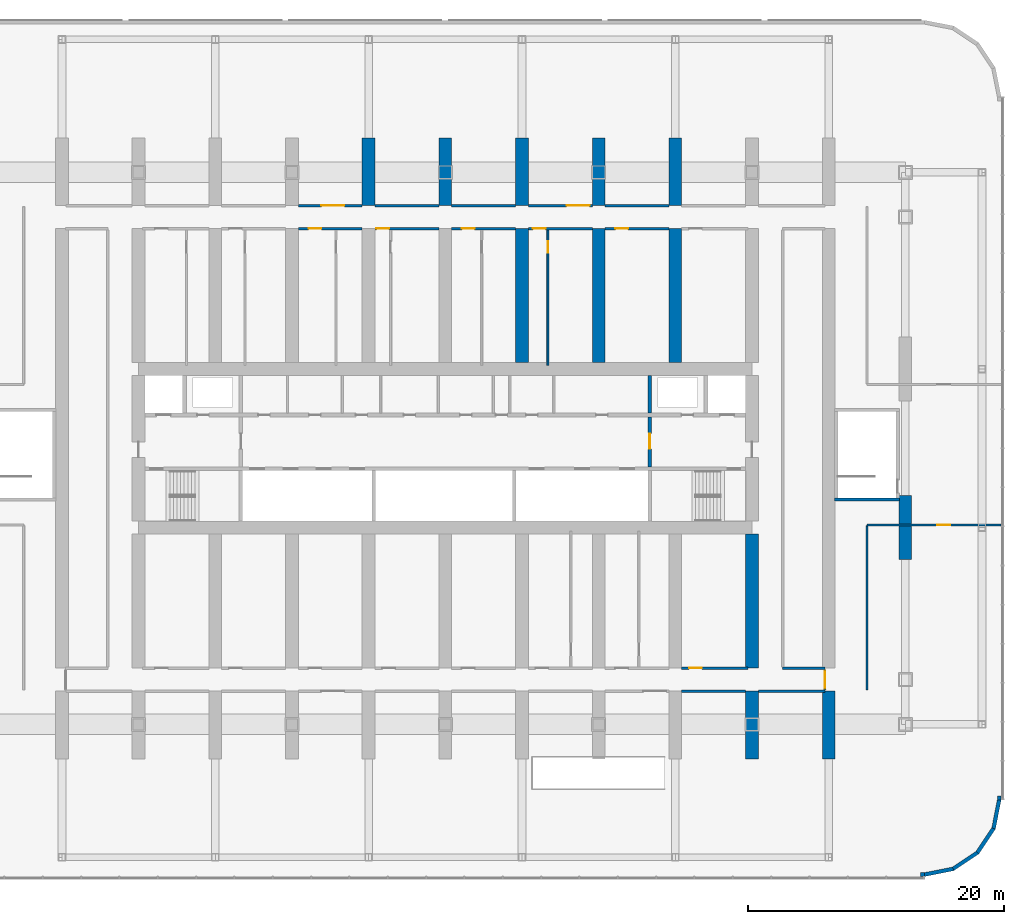
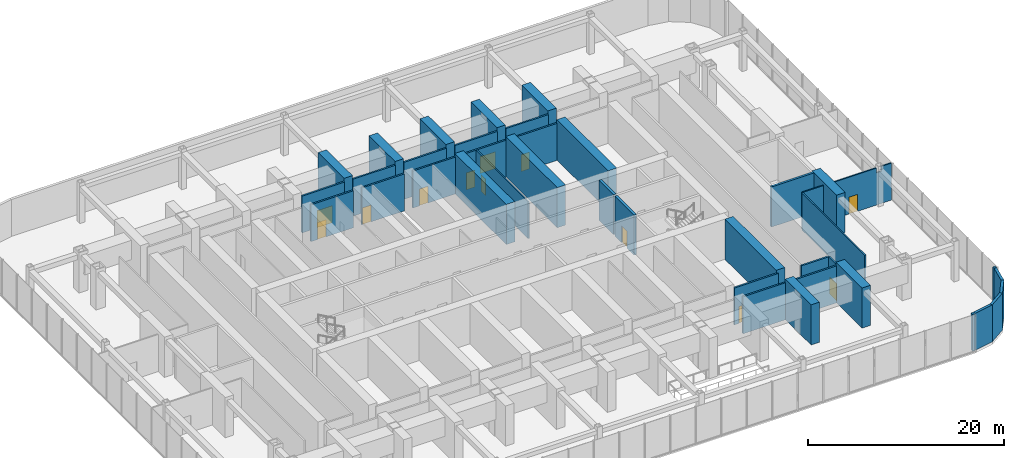
# One storey, part 15 of 26: 39 walls, 12 doors, 12 openings.
"""IFC4 building model written with IfcOpenShell, lengths in metres."""

from ifc_helpers import new_model, si_unit, direction, frame, frame_2d, origin, place, context, subcontext, project, spatial, polyline, rectangle, outline, extrude, material, layer, layer_set, type_object, element, fill, save


model = new_model("IFC4")

# Units and contexts
model_context = context("Model", 3, precision=1e-05, world=origin(), true_north=direction((0.0, 1.0)))
body_context = subcontext(model_context, "Body", "Model", "MODEL_VIEW")
ifc_project = project(units=[si_unit("LENGTHUNIT", "METRE"), si_unit("AREAUNIT", "SQUARE_METRE"), si_unit("VOLUMEUNIT", "CUBIC_METRE"), si_unit("PLANEANGLEUNIT", "RADIAN"), si_unit("MASSUNIT", "GRAM", prefix="KILO")], contexts=[model_context])

# Site, building, storey
site_placement = place(None, origin())
site = spatial("IfcSite", under=ifc_project, at=site_placement, CompositionType="ELEMENT")
building_placement = place(site_placement, origin())
building = spatial("IfcBuilding", under=site, at=building_placement, Name="Orbita Commons", CompositionType="ELEMENT")
storey_placement = place(building_placement, frame((0.0, 0.0, 11.0)))
storey = spatial("IfcBuildingStorey", under=building, at=storey_placement, Name="L02", CompositionType="ELEMENT", Elevation=11.0)

# Wall, opening, door
ifc_material_1 = material(Name="Concrete C50/60", Category="concrete")
ifc_layer_1 = layer(ifc_material_1, 0.300048828125)
ifc_layer_set_1 = layer_set([ifc_layer_1], Name="Concrete C50/60")
wall_type_1 = type_object("IfcWallType", Name="Core inner wall 300 C50/60", PredefinedType="SHEAR", material=ifc_layer_set_1)
wall_1_placement = place(storey_placement, frame((58.0, 30.550048828125, 0.0), z_axis=(0.0, 0.0, 1.0), x_axis=(0.0, 1.0, 0.0)))
wall_1 = element("IfcWall", 1, at=wall_1_placement, inside=storey, type_object=wall_type_1, Name="Firefighting lobby wall east L02", PredefinedType="SHEAR", context=body_context, shape_type="SweptSolid", body=[
    extrude(rectangle(XDim=3.89990234375, YDim=0.300048828125, at=frame_2d((1.949951171875, 0.0))), origin(), (0.0, 0.0, 1.0), 5.0),
])
opening_1_placement = place(wall_1_placement, frame((1.39990234375, 0.0, 0.0)))
opening_1 = element("IfcOpeningElement", 2, at=opening_1_placement, cuts=wall_1, Name="Opening D04", PredefinedType="OPENING", context=body_context, shape_type="SweptSolid", body=[
    extrude(rectangle(XDim=1.199951171875, YDim=2.10009765625, at=frame_2d((0.60009765625, 1.050048828125))), frame((0.0, 0.159912109375, 0.0), z_axis=(0.0, -1.0, 0.0), x_axis=(1.0, 0.0, 0.0)), (0.0, 0.0, 1.0), 0.320068359375),
])
ifc_material_2 = material(Name="Steel-faced fire door leaf", Category="steel")
door_type_1 = type_object("IfcDoorType", Name="Service door 20 min 1200x2100", OperationType="SINGLE_SWING_LEFT", PredefinedType="DOOR", material=ifc_material_2)
door_1_placement = place(opening_1_placement, origin())
door_1 = element("IfcDoor", 3, at=door_1_placement, inside=storey, type_object=door_type_1, Name="Lift lobby door east", OperationType="SINGLE_SWING_LEFT", OverallHeight=2.10009765625, OverallWidth=1.199951171875, PredefinedType="DOOR", context=body_context, shape_type="SweptSolid", body=[
    extrude(rectangle(XDim=1.199951171875, YDim=2.10009765625, at=frame_2d((0.60009765625, 1.050048828125))), frame((0.0, 0.02490234375, 0.0), z_axis=(0.0, -1.0, 0.0), x_axis=(1.0, 0.0, 0.0)), (0.0, 0.0, 1.0), 0.050048828125),
])
fill(opening_1, door_1)

# Walls
wall_2_placement = place(storey_placement, frame((58.0, 34.75, 0.0), z_axis=(0.0, 0.0, 1.0), x_axis=(0.0, 1.0, 0.0)))
element("IfcWall", 4, at=wall_2_placement, inside=storey, type_object=wall_type_1, Name="Riser wall east L02", PredefinedType="SHEAR", context=body_context, shape_type="SweptSolid", body=[
    extrude(rectangle(XDim=2.949951171875, YDim=0.300048828125, at=frame_2d((1.47509765625, 0.0))), origin(), (0.0, 0.0, 1.0), 5.0),
])
ifc_material_3 = material(Name="Concrete blockwork", Category="masonry")
ifc_layer_2 = layer(ifc_material_3, 0.199951171875)
ifc_layer_set_2 = layer_set([ifc_layer_2], Name="Concrete blockwork")
wall_type_2 = type_object("IfcWallType", Name="Corridor wall 200 blockwork", PredefinedType="SOLIDWALL", material=ifc_layer_set_2)
wall_3_placement = place(storey_placement, frame((60.5, 13.0, 0.0), z_axis=(0.0, 0.0, 1.0), x_axis=(1.0, 0.0, 0.0)))
element("IfcWall", 5, at=wall_3_placement, inside=storey, type_object=wall_type_2, Name="Corridor wall 200 blockwork L02", PredefinedType="SOLIDWALL", context=body_context, shape_type="SweptSolid", body=[
    extrude(rectangle(XDim=5.0, YDim=0.199951171875, at=frame_2d((2.5, 0.0))), origin(), (0.0, 0.0, 1.0), 4.60009765625),
])
wall_4_placement = place(storey_placement, frame((66.5, 13.0, 0.0), z_axis=(0.0, 0.0, 1.0), x_axis=(1.0, 0.0, 0.0)))
element("IfcWall", 6, at=wall_4_placement, inside=storey, type_object=wall_type_2, Name="Corridor wall 200 blockwork L02", PredefinedType="SOLIDWALL", context=body_context, shape_type="SweptSolid", body=[
    extrude(rectangle(XDim=5.199951171875, YDim=0.199951171875, at=frame_2d((2.60009765625, 0.0))), origin(), (0.0, 0.0, 1.0), 4.60009765625),
])

# Wall, opening, door
wall_5_placement = place(storey_placement, frame((30.5, 51.0, 0.0), z_axis=(0.0, 0.0, 1.0), x_axis=(1.0, 0.0, 0.0)))
wall_5 = element("IfcWall", 7, at=wall_5_placement, inside=storey, type_object=wall_type_2, Name="Corridor wall 200 blockwork L02", PredefinedType="SOLIDWALL", context=body_context, shape_type="SweptSolid", body=[
    extrude(rectangle(XDim=5.0, YDim=0.199951171875, at=frame_2d((2.5, 0.0))), origin(), (0.0, 0.0, 1.0), 4.60009765625),
])
opening_2_placement = place(wall_5_placement, frame((1.800048828125, 0.0, 0.0)))
opening_2 = element("IfcOpeningElement", 8, at=opening_2_placement, cuts=wall_5, Name="Opening D07", PredefinedType="OPENING", context=body_context, shape_type="SweptSolid", body=[
    extrude(rectangle(XDim=1.800048828125, YDim=2.10009765625, at=frame_2d((0.89990234375, 1.050048828125))), frame((0.0, 0.10986328125, 0.0), z_axis=(0.0, -1.0, 0.0), x_axis=(1.0, 0.0, 0.0)), (0.0, 0.0, 1.0), 0.219970703125),
])
ifc_material_4 = material(Name="Steel-faced fire door leaf", Category="steel")
door_type_2 = type_object("IfcDoorType", Name="Double corridor door 20 min 1800x2100", OperationType="DOUBLE_DOOR_SINGLE_SWING", PredefinedType="DOOR", material=ifc_material_4)
door_2_placement = place(opening_2_placement, origin())
door_2 = element("IfcDoor", 9, at=door_2_placement, inside=storey, type_object=door_type_2, Name="Hall doors north", OperationType="DOUBLE_DOOR_SINGLE_SWING", OverallHeight=2.10009765625, OverallWidth=1.800048828125, PredefinedType="DOOR", context=body_context, shape_type="SweptSolid", body=[
    extrude(rectangle(XDim=1.800048828125, YDim=2.10009765625, at=frame_2d((0.89990234375, 1.050048828125))), frame((0.0, 0.02490234375, 0.0), z_axis=(0.0, -1.0, 0.0), x_axis=(1.0, 0.0, 0.0)), (0.0, 0.0, 1.0), 0.050048828125),
])
fill(opening_2, door_2)

# Walls
for number, where, z_axis, x_axis, name in (
    (10, (36.5, 51.0, 0.0), (0.0, 0.0, 1.0), (1.0, 0.0, 0.0), "Corridor wall 200 blockwork L02"),
    (11, (42.5, 51.0, 0.0), (0.0, 0.0, 1.0), (1.0, 0.0, 0.0), "Corridor wall 200 blockwork L02"),
):
    element("IfcWall", number, at=place(storey_placement, frame(where, z_axis=z_axis, x_axis=x_axis)), inside=storey, type_object=wall_type_2, Name=name, PredefinedType="SOLIDWALL", context=body_context, shape_type="SweptSolid", body=[
        extrude(rectangle(XDim=5.0, YDim=0.199951171875, at=frame_2d((2.5, 0.0))), origin(), (0.0, 0.0, 1.0), 4.60009765625),
    ])

# Wall, opening, door
wall_6_placement = place(storey_placement, frame((48.5, 51.0, 0.0), z_axis=(0.0, 0.0, 1.0), x_axis=(1.0, 0.0, 0.0)))
wall_6 = element("IfcWall", 12, at=wall_6_placement, inside=storey, type_object=wall_type_2, Name="Corridor wall 200 blockwork L02", PredefinedType="SOLIDWALL", context=body_context, shape_type="SweptSolid", body=[
    extrude(rectangle(XDim=5.0, YDim=0.199951171875, at=frame_2d((2.5, 0.0))), origin(), (0.0, 0.0, 1.0), 4.60009765625),
])
opening_3_placement = place(wall_6_placement, frame((3.0, 0.0, 0.0)))
opening_3 = element("IfcOpeningElement", 13, at=opening_3_placement, cuts=wall_6, Name="Opening D07", PredefinedType="OPENING", context=body_context, shape_type="SweptSolid", body=[
    extrude(rectangle(XDim=1.800048828125, YDim=2.10009765625, at=frame_2d((0.89990234375, 1.050048828125))), frame((0.0, 0.10986328125, 0.0), z_axis=(0.0, -1.0, 0.0), x_axis=(1.0, 0.0, 0.0)), (0.0, 0.0, 1.0), 0.219970703125),
])
door_3_placement = place(opening_3_placement, origin())
door_3 = element("IfcDoor", 14, at=door_3_placement, inside=storey, type_object=door_type_2, Name="Hall doors north", OperationType="DOUBLE_DOOR_SINGLE_SWING", OverallHeight=2.10009765625, OverallWidth=1.800048828125, PredefinedType="DOOR", context=body_context, shape_type="SweptSolid", body=[
    extrude(rectangle(XDim=1.800048828125, YDim=2.10009765625, at=frame_2d((0.89990234375, 1.050048828125))), frame((0.0, 0.02490234375, 0.0), z_axis=(0.0, -1.0, 0.0), x_axis=(1.0, 0.0, 0.0)), (0.0, 0.0, 1.0), 0.050048828125),
])
fill(opening_3, door_3)

# Walls
wall_7_placement = place(storey_placement, frame((54.5, 51.0, 0.0), z_axis=(0.0, 0.0, 1.0), x_axis=(1.0, 0.0, 0.0)))
element("IfcWall", 15, at=wall_7_placement, inside=storey, type_object=wall_type_2, Name="Corridor wall 200 blockwork L02", PredefinedType="SOLIDWALL", context=body_context, shape_type="SweptSolid", body=[
    extrude(rectangle(XDim=5.0, YDim=0.199951171875, at=frame_2d((2.5, 0.0))), origin(), (0.0, 0.0, 1.0), 4.60009765625),
])
wall_8_placement = place(storey_placement, frame((68.39990234375, 14.800048828125, 0.0), z_axis=(0.0, 0.0, 1.0), x_axis=(1.0, 0.0, 0.0)))
element("IfcWall", 16, at=wall_8_placement, inside=storey, type_object=wall_type_2, Name="Corridor wall 200 blockwork L02", PredefinedType="SOLIDWALL", context=body_context, shape_type="SweptSolid", body=[
    extrude(rectangle(XDim=3.300048828125, YDim=0.199951171875, at=frame_2d((1.64990234375, 0.0))), origin(), (0.0, 0.0, 1.0), 4.60009765625),
])

# Wall, opening, door
wall_9_placement = place(storey_placement, frame((60.5, 14.800048828125, 0.0), z_axis=(0.0, 0.0, 1.0), x_axis=(1.0, 0.0, 0.0)))
wall_9 = element("IfcWall", 17, at=wall_9_placement, inside=storey, type_object=wall_type_2, Name="Corridor wall 200 blockwork L02", PredefinedType="SOLIDWALL", context=body_context, shape_type="SweptSolid", body=[
    extrude(rectangle(XDim=5.199951171875, YDim=0.199951171875, at=frame_2d((2.60009765625, 0.0))), origin(), (0.0, 0.0, 1.0), 4.60009765625),
])
opening_4_placement = place(wall_9_placement, frame((0.574951171875, 0.0, 0.0)))
opening_4 = element("IfcOpeningElement", 18, at=opening_4_placement, cuts=wall_9, Name="Opening D06", PredefinedType="OPENING", context=body_context, shape_type="SweptSolid", body=[
    extrude(rectangle(XDim=1.0, YDim=2.10009765625, at=frame_2d((0.5, 1.050048828125))), frame((0.0, 0.10986328125, 0.0), z_axis=(0.0, -1.0, 0.0), x_axis=(1.0, 0.0, 0.0)), (0.0, 0.0, 1.0), 0.219970703125),
])
ifc_material_5 = material(Name="Steel-faced fire door leaf", Category="steel")
door_type_3 = type_object("IfcDoorType", Name="Corridor door 20 min 1000x2100", OperationType="SINGLE_SWING_LEFT", PredefinedType="DOOR", material=ifc_material_5)
door_4_placement = place(opening_4_placement, origin())
door_4 = element("IfcDoor", 19, at=door_4_placement, inside=storey, type_object=door_type_3, Name="Room door", OperationType="SINGLE_SWING_LEFT", OverallHeight=2.10009765625, OverallWidth=1.0, PredefinedType="DOOR", context=body_context, shape_type="SweptSolid", body=[
    extrude(rectangle(XDim=1.0, YDim=2.10009765625, at=frame_2d((0.5, 1.050048828125))), frame((0.0, 0.02490234375, 0.0), z_axis=(0.0, -1.0, 0.0), x_axis=(1.0, 0.0, 0.0)), (0.0, 0.0, 1.0), 0.050048828125),
])
fill(opening_4, door_4)

wall_10_placement = place(storey_placement, frame((30.5, 49.199951171875, 0.0), z_axis=(0.0, 0.0, 1.0), x_axis=(1.0, 0.0, 0.0)))
wall_10 = element("IfcWall", 20, at=wall_10_placement, inside=storey, type_object=wall_type_2, Name="Corridor wall 200 blockwork L02", PredefinedType="SOLIDWALL", context=body_context, shape_type="SweptSolid", body=[
    extrude(rectangle(XDim=5.0, YDim=0.199951171875, at=frame_2d((2.5, 0.0))), origin(), (0.0, 0.0, 1.0), 4.60009765625),
])
opening_5_placement = place(wall_10_placement, frame((0.800048828125, 0.0, 0.0)))
opening_5 = element("IfcOpeningElement", 21, at=opening_5_placement, cuts=wall_10, Name="Opening D06", PredefinedType="OPENING", context=body_context, shape_type="SweptSolid", body=[
    extrude(rectangle(XDim=1.0, YDim=2.10009765625, at=frame_2d((0.5, 1.050048828125))), frame((0.0, 0.10986328125, 0.0), z_axis=(0.0, -1.0, 0.0), x_axis=(1.0, 0.0, 0.0)), (0.0, 0.0, 1.0), 0.219970703125),
])
door_5_placement = place(opening_5_placement, origin())
door_5 = element("IfcDoor", 22, at=door_5_placement, inside=storey, type_object=door_type_3, Name="Room door", OperationType="SINGLE_SWING_LEFT", OverallHeight=2.10009765625, OverallWidth=1.0, PredefinedType="DOOR", context=body_context, shape_type="SweptSolid", body=[
    extrude(rectangle(XDim=1.0, YDim=2.10009765625, at=frame_2d((0.5, 1.050048828125))), frame((0.0, 0.02490234375, 0.0), z_axis=(0.0, -1.0, 0.0), x_axis=(1.0, 0.0, 0.0)), (0.0, 0.0, 1.0), 0.050048828125),
])
fill(opening_5, door_5)

wall_11_placement = place(storey_placement, frame((36.5, 49.199951171875, 0.0), z_axis=(0.0, 0.0, 1.0), x_axis=(1.0, 0.0, 0.0)))
wall_11 = element("IfcWall", 23, at=wall_11_placement, inside=storey, type_object=wall_type_2, Name="Corridor wall 200 blockwork L02", PredefinedType="SOLIDWALL", context=body_context, shape_type="SweptSolid", body=[
    extrude(rectangle(XDim=5.0, YDim=0.199951171875, at=frame_2d((2.5, 0.0))), origin(), (0.0, 0.0, 1.0), 4.60009765625),
])
opening_6_placement = place(wall_11_placement, frame((0.10009765625, 0.0, 0.0)))
opening_6 = element("IfcOpeningElement", 24, at=opening_6_placement, cuts=wall_11, Name="Opening D06", PredefinedType="OPENING", context=body_context, shape_type="SweptSolid", body=[
    extrude(rectangle(XDim=1.0, YDim=2.10009765625, at=frame_2d((0.5, 1.050048828125))), frame((0.0, 0.10986328125, 0.0), z_axis=(0.0, -1.0, 0.0), x_axis=(1.0, 0.0, 0.0)), (0.0, 0.0, 1.0), 0.219970703125),
])
door_6_placement = place(opening_6_placement, origin())
door_6 = element("IfcDoor", 25, at=door_6_placement, inside=storey, type_object=door_type_3, Name="Room door", OperationType="SINGLE_SWING_LEFT", OverallHeight=2.10009765625, OverallWidth=1.0, PredefinedType="DOOR", context=body_context, shape_type="SweptSolid", body=[
    extrude(rectangle(XDim=1.0, YDim=2.10009765625, at=frame_2d((0.5, 1.050048828125))), frame((0.0, 0.02490234375, 0.0), z_axis=(0.0, -1.0, 0.0), x_axis=(1.0, 0.0, 0.0)), (0.0, 0.0, 1.0), 0.050048828125),
])
fill(opening_6, door_6)

wall_12_placement = place(storey_placement, frame((42.5, 49.199951171875, 0.0), z_axis=(0.0, 0.0, 1.0), x_axis=(1.0, 0.0, 0.0)))
wall_12 = element("IfcWall", 26, at=wall_12_placement, inside=storey, type_object=wall_type_2, Name="Corridor wall 200 blockwork L02", PredefinedType="SOLIDWALL", context=body_context, shape_type="SweptSolid", body=[
    extrude(rectangle(XDim=5.0, YDim=0.199951171875, at=frame_2d((2.5, 0.0))), origin(), (0.0, 0.0, 1.0), 4.60009765625),
])
opening_7_placement = place(wall_12_placement, frame((0.800048828125, 0.0, 0.0)))
opening_7 = element("IfcOpeningElement", 27, at=opening_7_placement, cuts=wall_12, Name="Opening D06", PredefinedType="OPENING", context=body_context, shape_type="SweptSolid", body=[
    extrude(rectangle(XDim=1.0, YDim=2.10009765625, at=frame_2d((0.5, 1.050048828125))), frame((0.0, 0.10986328125, 0.0), z_axis=(0.0, -1.0, 0.0), x_axis=(1.0, 0.0, 0.0)), (0.0, 0.0, 1.0), 0.219970703125),
])
door_7_placement = place(opening_7_placement, origin())
door_7 = element("IfcDoor", 28, at=door_7_placement, inside=storey, type_object=door_type_3, Name="Room door", OperationType="SINGLE_SWING_LEFT", OverallHeight=2.10009765625, OverallWidth=1.0, PredefinedType="DOOR", context=body_context, shape_type="SweptSolid", body=[
    extrude(rectangle(XDim=1.0, YDim=2.10009765625, at=frame_2d((0.5, 1.050048828125))), frame((0.0, 0.02490234375, 0.0), z_axis=(0.0, -1.0, 0.0), x_axis=(1.0, 0.0, 0.0)), (0.0, 0.0, 1.0), 0.050048828125),
])
fill(opening_7, door_7)

wall_13_placement = place(storey_placement, frame((48.5, 49.199951171875, 0.0), z_axis=(0.0, 0.0, 1.0), x_axis=(1.0, 0.0, 0.0)))
wall_13 = element("IfcWall", 29, at=wall_13_placement, inside=storey, type_object=wall_type_2, Name="Corridor wall 200 blockwork L02", PredefinedType="SOLIDWALL", context=body_context, shape_type="SweptSolid", body=[
    extrude(rectangle(XDim=5.0, YDim=0.199951171875, at=frame_2d((2.5, 0.0))), origin(), (0.0, 0.0, 1.0), 4.60009765625),
])
opening_8_placement = place(wall_13_placement, frame((0.35009765625, 0.0, 0.0)))
opening_8 = element("IfcOpeningElement", 30, at=opening_8_placement, cuts=wall_13, Name="Opening D06", PredefinedType="OPENING", context=body_context, shape_type="SweptSolid", body=[
    extrude(rectangle(XDim=1.0, YDim=2.10009765625, at=frame_2d((0.5, 1.050048828125))), frame((0.0, 0.10986328125, 0.0), z_axis=(0.0, -1.0, 0.0), x_axis=(1.0, 0.0, 0.0)), (0.0, 0.0, 1.0), 0.219970703125),
])
door_8_placement = place(opening_8_placement, origin())
door_8 = element("IfcDoor", 31, at=door_8_placement, inside=storey, type_object=door_type_3, Name="Room door", OperationType="SINGLE_SWING_LEFT", OverallHeight=2.10009765625, OverallWidth=1.0, PredefinedType="DOOR", context=body_context, shape_type="SweptSolid", body=[
    extrude(rectangle(XDim=1.0, YDim=2.10009765625, at=frame_2d((0.5, 1.050048828125))), frame((0.0, 0.02490234375, 0.0), z_axis=(0.0, -1.0, 0.0), x_axis=(1.0, 0.0, 0.0)), (0.0, 0.0, 1.0), 0.050048828125),
])
fill(opening_8, door_8)

wall_14_placement = place(storey_placement, frame((54.5, 49.199951171875, 0.0), z_axis=(0.0, 0.0, 1.0), x_axis=(1.0, 0.0, 0.0)))
wall_14 = element("IfcWall", 32, at=wall_14_placement, inside=storey, type_object=wall_type_2, Name="Corridor wall 200 blockwork L02", PredefinedType="SOLIDWALL", context=body_context, shape_type="SweptSolid", body=[
    extrude(rectangle(XDim=5.0, YDim=0.199951171875, at=frame_2d((2.5, 0.0))), origin(), (0.0, 0.0, 1.0), 4.60009765625),
])
opening_9_placement = place(wall_14_placement, frame((0.800048828125, 0.0, 0.0)))
opening_9 = element("IfcOpeningElement", 33, at=opening_9_placement, cuts=wall_14, Name="Opening D06", PredefinedType="OPENING", context=body_context, shape_type="SweptSolid", body=[
    extrude(rectangle(XDim=1.0, YDim=2.10009765625, at=frame_2d((0.5, 1.050048828125))), frame((0.0, 0.10986328125, 0.0), z_axis=(0.0, -1.0, 0.0), x_axis=(1.0, 0.0, 0.0)), (0.0, 0.0, 1.0), 0.219970703125),
])
door_9_placement = place(opening_9_placement, origin())
door_9 = element("IfcDoor", 34, at=door_9_placement, inside=storey, type_object=door_type_3, Name="Room door", OperationType="SINGLE_SWING_LEFT", OverallHeight=2.10009765625, OverallWidth=1.0, PredefinedType="DOOR", context=body_context, shape_type="SweptSolid", body=[
    extrude(rectangle(XDim=1.0, YDim=2.10009765625, at=frame_2d((0.5, 1.050048828125))), frame((0.0, 0.02490234375, 0.0), z_axis=(0.0, -1.0, 0.0), x_axis=(1.0, 0.0, 0.0)), (0.0, 0.0, 1.0), 0.050048828125),
])
fill(opening_9, door_9)

wall_15_placement = place(storey_placement, frame((71.699951171875, 13.10009765625, 0.0), z_axis=(0.0, 0.0, 1.0), x_axis=(0.0, 1.0, 0.0)))
wall_15 = element("IfcWall", 35, at=wall_15_placement, inside=storey, type_object=wall_type_2, Name="Corridor wall 200 blockwork L02", PredefinedType="SOLIDWALL", context=body_context, shape_type="SweptSolid", body=[
    extrude(rectangle(XDim=1.599853515625, YDim=0.199951171875, at=frame_2d((0.7998046875, 0.0))), origin(), (0.0, 0.0, 1.0), 4.60009765625),
])
opening_10_placement = place(wall_15_placement, frame((0.10009765625, 0.0, 0.0)))
opening_10 = element("IfcOpeningElement", 36, at=opening_10_placement, cuts=wall_15, Name="Opening D08", PredefinedType="OPENING", context=body_context, shape_type="SweptSolid", body=[
    extrude(rectangle(XDim=1.39990234375, YDim=2.10009765625, at=frame_2d((0.699951171875, 1.050048828125))), frame((0.0, 0.10986328125, 0.0), z_axis=(0.0, -1.0, 0.0), x_axis=(1.0, 0.0, 0.0)), (0.0, 0.0, 1.0), 0.219970703125),
])
ifc_material_6 = material(Name="Steel-faced fire door leaf", Category="steel")
door_type_4 = type_object("IfcDoorType", Name="Double corridor door 20 min 1400x2100", OperationType="DOUBLE_DOOR_SINGLE_SWING", PredefinedType="DOOR", material=ifc_material_6)
door_10_placement = place(opening_10_placement, origin())
door_10 = element("IfcDoor", 37, at=door_10_placement, inside=storey, type_object=door_type_4, Name="End room doors", OperationType="DOUBLE_DOOR_SINGLE_SWING", OverallHeight=2.10009765625, OverallWidth=1.39990234375, PredefinedType="DOOR", context=body_context, shape_type="SweptSolid", body=[
    extrude(rectangle(XDim=1.39990234375, YDim=2.10009765625, at=frame_2d((0.699951171875, 1.050048828125))), frame((0.0, 0.02490234375, 0.0), z_axis=(0.0, -1.0, 0.0), x_axis=(1.0, 0.0, 0.0)), (0.0, 0.0, 1.0), 0.050048828125),
])
fill(opening_10, door_10)

# Walls
ifc_material_7 = material(Name="Concrete C50/60", Category="concrete")
ifc_layer_3 = layer(ifc_material_7, 1.0)
ifc_layer_set_3 = layer_set([ifc_layer_3], Name="Concrete C50/60")
wall_type_3 = type_object("IfcWallType", Name="Cross wall 1000 C50/60", PredefinedType="SHEAR", material=ifc_layer_set_3)
for number, where, z_axis, x_axis, name in (
    (38, (36.0, 51.0, 0.0), (0.0, 0.0, 1.0), (0.0, 1.0, 0.0), "Cross wall 7 north outer L02"),
    (39, (42.0, 51.0, 0.0), (0.0, 0.0, 1.0), (0.0, 1.0, 0.0), "Cross wall 8 north outer L02"),
    (40, (48.0, 51.0, 0.0), (0.0, 0.0, 1.0), (0.0, 1.0, 0.0), "Cross wall 9 north outer L02"),
):
    element("IfcWall", number, at=place(storey_placement, frame(where, z_axis=z_axis, x_axis=x_axis)), inside=storey, type_object=wall_type_3, Name=name, PredefinedType="SHEAR", context=body_context, shape_type="SweptSolid", body=[
        extrude(rectangle(XDim=5.300048828125, YDim=1.0, at=frame_2d((2.64990234375, 0.0))), origin(), (0.0, 0.0, 1.0), 5.0),
    ])
wall_16_placement = place(storey_placement, frame((48.0, 38.699951171875, 0.0), z_axis=(0.0, 0.0, 1.0), x_axis=(0.0, 1.0, 0.0)))
element("IfcWall", 41, at=wall_16_placement, inside=storey, type_object=wall_type_3, Name="Cross wall 9 north inner L02", PredefinedType="SHEAR", context=body_context, shape_type="SweptSolid", body=[
    extrude(rectangle(XDim=10.5, YDim=1.0, at=frame_2d((5.25, 0.0))), origin(), (0.0, 0.0, 1.0), 5.0),
])
wall_17_placement = place(storey_placement, frame((54.0, 51.0, 0.0), z_axis=(0.0, 0.0, 1.0), x_axis=(0.0, 1.0, 0.0)))
element("IfcWall", 42, at=wall_17_placement, inside=storey, type_object=wall_type_3, Name="Cross wall 10 north outer L02", PredefinedType="SHEAR", context=body_context, shape_type="SweptSolid", body=[
    extrude(rectangle(XDim=5.300048828125, YDim=1.0, at=frame_2d((2.64990234375, 0.0))), origin(), (0.0, 0.0, 1.0), 5.0),
])
wall_18_placement = place(storey_placement, frame((54.0, 38.699951171875, 0.0), z_axis=(0.0, 0.0, 1.0), x_axis=(0.0, 1.0, 0.0)))
element("IfcWall", 43, at=wall_18_placement, inside=storey, type_object=wall_type_3, Name="Cross wall 10 north inner L02", PredefinedType="SHEAR", context=body_context, shape_type="SweptSolid", body=[
    extrude(rectangle(XDim=10.5, YDim=1.0, at=frame_2d((5.25, 0.0))), origin(), (0.0, 0.0, 1.0), 5.0),
])
wall_19_placement = place(storey_placement, frame((60.0, 51.0, 0.0), z_axis=(0.0, 0.0, 1.0), x_axis=(0.0, 1.0, 0.0)))
element("IfcWall", 44, at=wall_19_placement, inside=storey, type_object=wall_type_3, Name="Cross wall 11 north outer L02", PredefinedType="SHEAR", context=body_context, shape_type="SweptSolid", body=[
    extrude(rectangle(XDim=5.300048828125, YDim=1.0, at=frame_2d((2.64990234375, 0.0))), origin(), (0.0, 0.0, 1.0), 5.0),
])
wall_20_placement = place(storey_placement, frame((60.0, 38.699951171875, 0.0), z_axis=(0.0, 0.0, 1.0), x_axis=(0.0, 1.0, 0.0)))
element("IfcWall", 45, at=wall_20_placement, inside=storey, type_object=wall_type_3, Name="Cross wall 11 north inner L02", PredefinedType="SHEAR", context=body_context, shape_type="SweptSolid", body=[
    extrude(rectangle(XDim=10.5, YDim=1.0, at=frame_2d((5.25, 0.0))), origin(), (0.0, 0.0, 1.0), 5.0),
])
wall_21_placement = place(storey_placement, frame((66.0, 7.699951171875, 0.0), z_axis=(0.0, 0.0, 1.0), x_axis=(0.0, 1.0, 0.0)))
element("IfcWall", 46, at=wall_21_placement, inside=storey, type_object=wall_type_3, Name="Cross wall 12 south outer L02", PredefinedType="SHEAR", context=body_context, shape_type="SweptSolid", body=[
    extrude(rectangle(XDim=5.300048828125, YDim=1.0, at=frame_2d((2.64990234375, 0.0))), origin(), (0.0, 0.0, 1.0), 5.0),
])
wall_22_placement = place(storey_placement, frame((66.0, 14.800048828125, 0.0), z_axis=(0.0, 0.0, 1.0), x_axis=(0.0, 1.0, 0.0)))
element("IfcWall", 47, at=wall_22_placement, inside=storey, type_object=wall_type_3, Name="Cross wall 12 south inner L02", PredefinedType="SHEAR", context=body_context, shape_type="SweptSolid", body=[
    extrude(rectangle(XDim=10.5, YDim=1.0, at=frame_2d((5.25, 0.0))), origin(), (0.0, 0.0, 1.0), 5.0),
])
wall_23_placement = place(storey_placement, frame((72.0, 7.699951171875, 0.0), z_axis=(0.0, 0.0, 1.0), x_axis=(0.0, 1.0, 0.0)))
element("IfcWall", 48, at=wall_23_placement, inside=storey, type_object=wall_type_3, Name="Cross wall 13 south outer L02", PredefinedType="SHEAR", context=body_context, shape_type="SweptSolid", body=[
    extrude(rectangle(XDim=5.300048828125, YDim=1.0, at=frame_2d((2.64990234375, 0.0))), origin(), (0.0, 0.0, 1.0), 5.0),
])
ifc_material_8 = material(Name="Concrete C50/60", Category="concrete")
ifc_layer_4 = layer(ifc_material_8, 1.0)
ifc_layer_set_4 = layer_set([ifc_layer_4], Name="Concrete C50/60")
wall_type_4 = type_object("IfcWallType", Name="End pier 1000x5000 C50/60", PredefinedType="SHEAR", material=ifc_layer_set_4)
wall_24_placement = place(storey_placement, frame((78.0, 23.300048828125, 0.0), z_axis=(0.0, 0.0, 1.0), x_axis=(0.0, 1.0, 0.0)))
element("IfcWall", 49, at=wall_24_placement, inside=storey, type_object=wall_type_4, Name="End pier 14/C L02", PredefinedType="SHEAR", context=body_context, shape_type="SweptSolid", body=[
    extrude(rectangle(XDim=5.0, YDim=1.0, at=frame_2d((2.5, 0.0))), origin(), (0.0, 0.0, 1.0), 5.0),
])

# Wall, opening, door
ifc_material_9 = material(Name="Gypsum plasterboard on steel studs", Category="steel")
ifc_layer_5 = layer(ifc_material_9, 0.14990234375)
ifc_layer_set_5 = layer_set([ifc_layer_5], Name="Gypsum plasterboard on steel studs")
wall_type_5 = type_object("IfcWallType", Name="Partition 150 plasterboard", PredefinedType="PARTITIONING", material=ifc_layer_set_5)
wall_25_placement = place(storey_placement, frame((50.02490234375, 38.5, 0.0), z_axis=(0.0, 0.0, 1.0), x_axis=(0.0, 1.0, 0.0)))
wall_25 = element("IfcWall", 50, at=wall_25_placement, inside=storey, type_object=wall_type_5, Name="Partition 150 plasterboard L02", PredefinedType="PARTITIONING", context=body_context, shape_type="SweptSolid", body=[
    extrude(rectangle(XDim=10.699951171875, YDim=0.14990234375, at=frame_2d((5.35009765625, 0.0))), origin(), (0.0, 0.0, 1.0), 4.60009765625),
])
opening_11_placement = place(wall_25_placement, frame((8.800048828125, 0.0, 0.0)))
opening_11 = element("IfcOpeningElement", 51, at=opening_11_placement, cuts=wall_25, Name="Opening D09", PredefinedType="OPENING", context=body_context, shape_type="SweptSolid", body=[
    extrude(rectangle(XDim=0.89990234375, YDim=2.10009765625, at=frame_2d((0.449951171875, 1.050048828125))), frame((0.0, 0.0849609375, 0.0), z_axis=(0.0, -1.0, 0.0), x_axis=(1.0, 0.0, 0.0)), (0.0, 0.0, 1.0), 0.169921875),
])
ifc_material_10 = material(Name="Laminated timber door leaf", Category="wood")
door_type_5 = type_object("IfcDoorType", Name="En-suite door 900x2100", OperationType="SINGLE_SWING_RIGHT", PredefinedType="DOOR", material=ifc_material_10)
door_11_placement = place(opening_11_placement, origin())
door_11 = element("IfcDoor", 52, at=door_11_placement, inside=storey, type_object=door_type_5, Name="Maker materials store L02 door", OperationType="SINGLE_SWING_RIGHT", OverallHeight=2.10009765625, OverallWidth=0.89990234375, PredefinedType="DOOR", context=body_context, shape_type="SweptSolid", body=[
    extrude(rectangle(XDim=0.89990234375, YDim=2.10009765625, at=frame_2d((0.449951171875, 1.050048828125))), frame((0.0, 0.02490234375, 0.0), z_axis=(0.0, -1.0, 0.0), x_axis=(1.0, 0.0, 0.0)), (0.0, 0.0, 1.0), 0.050048828125),
])
fill(opening_11, door_11)

wall_26_placement = place(storey_placement, frame((75.0, 26.0, 0.0), z_axis=(0.0, 0.0, 1.0), x_axis=(1.0, 0.0, 0.0)))
wall_26 = element("IfcWall", 53, at=wall_26_placement, inside=storey, type_object=wall_type_5, Name="Partition 150 plasterboard L02", PredefinedType="PARTITIONING", context=body_context, shape_type="SweptSolid", body=[
    extrude(outline(polyline([(0.0, 0.0), (10.489990234375, 0.0), (10.489990234375, 4.60009765625), (9.302001953125, 4.60009765625), (9.300048828125, 4.0), (8.701904296875, 4.0), (8.699951171875, 4.60009765625), (0.0, 4.60009765625), (0.0, 0.0)])), frame((0.0, 0.074951171875, 0.0), z_axis=(0.0, -1.0, 0.0), x_axis=(1.0, 0.0, 0.0)), (0.0, 0.0, 1.0), 0.14990234375),
])
opening_12_placement = place(wall_26_placement, frame((5.5, 0.0, 0.0)))
opening_12 = element("IfcOpeningElement", 54, at=opening_12_placement, cuts=wall_26, Name="Opening D06", PredefinedType="OPENING", context=body_context, shape_type="SweptSolid", body=[
    extrude(rectangle(XDim=1.0, YDim=2.10009765625, at=frame_2d((0.5, 1.050048828125))), frame((0.0, 0.0849609375, 0.0), z_axis=(0.0, -1.0, 0.0), x_axis=(1.0, 0.0, 0.0)), (0.0, 0.0, 1.0), 0.169921875),
])
door_12_placement = place(opening_12_placement, origin())
door_12 = element("IfcDoor", 55, at=door_12_placement, inside=storey, type_object=door_type_3, Name="Group study room door", OperationType="SINGLE_SWING_LEFT", OverallHeight=2.10009765625, OverallWidth=1.0, PredefinedType="DOOR", context=body_context, shape_type="SweptSolid", body=[
    extrude(rectangle(XDim=1.0, YDim=2.10009765625, at=frame_2d((0.5, 1.050048828125))), frame((0.0, 0.02490234375, 0.0), z_axis=(0.0, -1.0, 0.0), x_axis=(1.0, 0.0, 0.0)), (0.0, 0.0, 1.0), 0.050048828125),
])
fill(opening_12, door_12)

# Walls
wall_27_placement = place(storey_placement, frame((75.0, 13.10009765625, 0.0), z_axis=(0.0, 0.0, 1.0), x_axis=(0.0, 1.0, 0.0)))
element("IfcWall", 56, at=wall_27_placement, inside=storey, type_object=wall_type_5, Name="Partition 150 plasterboard L02", PredefinedType="PARTITIONING", context=body_context, shape_type="SweptSolid", body=[
    extrude(rectangle(XDim=12.824951171875, YDim=0.14990234375, at=frame_2d((6.41259765625, 0.0))), origin(), (0.0, 0.0, 1.0), 4.60009765625),
])
ifc_material_11 = material(Name="Concrete C50/60", Category="concrete")
ifc_layer_6 = layer(ifc_material_11, 0.25)
ifc_layer_set_6 = layer_set([ifc_layer_6], Name="Concrete C50/60")
wall_type_6 = type_object("IfcWallType", Name="Podium stair wall 250 RC", PredefinedType="SHEAR", material=ifc_layer_set_6)
wall_28_placement = place(storey_placement, frame((72.47509765625, 28.0, 0.0), z_axis=(0.0, 0.0, 1.0), x_axis=(1.0, 0.0, 0.0)))
element("IfcWall", 57, at=wall_28_placement, inside=storey, type_object=wall_type_6, Name="Podium stair PS2 wall s L02", PredefinedType="SHEAR", context=body_context, shape_type="SweptSolid", body=[
    extrude(rectangle(XDim=5.0498046875, YDim=0.25, at=frame_2d((2.52490234375, 0.0))), origin(), (0.0, 0.0, 1.0), 5.0),
])
ifc_material_12 = material(Name="Precast concrete C40/50, white board-marked finish", Category="concrete")
ifc_layer_7 = layer(ifc_material_12, 0.300048828125)
ifc_layer_set_7 = layer_set([ifc_layer_7], Name="Precast concrete C40/50, white board-marked finish")
wall_type_7 = type_object("IfcWallType", Name="Precast concrete end shield 300", PredefinedType="SOLIDWALL", material=ifc_layer_set_7)
wall_29_placement = place(storey_placement, frame((79.5, -1.35009765625, 0.0), z_axis=(0.0, 0.0, 1.0), x_axis=(0.98078582086, 0.195087604935, 0.0)))
element("IfcWall", 58, at=wall_29_placement, inside=storey, type_object=wall_type_7, Name="Podium corner wall SE 1 L02", PredefinedType="SOLIDWALL", context=body_context, shape_type="SweptSolid", body=[
    extrude(outline(polyline([(-0.02978515625, -0.14990234375), (2.3125, -0.14990234375), (2.2529296875, 0.14990234375), (0.02978515625, 0.14990234375), (-0.02978515625, -0.14990234375)])), origin(), (0.0, 0.0, 1.0), 4.60009765625),
])
for number, where, z_axis, x_axis, name in (
    (59, (81.73876953125, -0.90478515625, 0.0), (0.0, 0.0, 1.0), (0.831490399244, 0.555539121903, 0.0), "Podium corner wall SE 2 L02"),
    (60, (83.63671875, 0.36328125, 0.0), (0.0, 0.0, 1.0), (0.555539121903, 0.831490399244, 0.0), "Podium corner wall SE 3 L02"),
):
    element("IfcWall", number, at=place(storey_placement, frame(where, z_axis=z_axis, x_axis=x_axis)), inside=storey, type_object=wall_type_7, Name=name, PredefinedType="SOLIDWALL", context=body_context, shape_type="SweptSolid", body=[
        extrude(outline(polyline([(-0.02978515625, -0.14990234375), (2.312255859375, -0.14990234375), (2.252685546875, 0.14990234375), (0.02978515625, 0.14990234375), (-0.02978515625, -0.14990234375)])), origin(), (0.0, 0.0, 1.0), 4.60009765625),
    ])
wall_30_placement = place(storey_placement, frame((84.90478515625, 2.26123046875, 0.0), z_axis=(0.0, 0.0, 1.0), x_axis=(0.195087604935, 0.98078582086, 0.0)))
element("IfcWall", 61, at=wall_30_placement, inside=storey, type_object=wall_type_7, Name="Podium corner wall SE 4 L02", PredefinedType="SOLIDWALL", context=body_context, shape_type="SweptSolid", body=[
    extrude(outline(polyline([(-0.02978515625, -0.14990234375), (2.297607421875, -0.14990234375), (2.267822265625, 0.14990234375), (0.02978515625, 0.14990234375), (-0.02978515625, -0.14990234375)])), origin(), (0.0, 0.0, 1.0), 4.60009765625),
])
for number, where, z_axis, x_axis, name in (
    (62, (79.5, -1.35009765625, 0.0), (0.0, 0.0, 1.0), (-1.0, 0.0, 0.0), "Podium corner wall jamb S1 L02"),
    (63, (85.35009765625, 4.5, 0.0), (0.0, 0.0, 1.0), (0.0, 1.0, 0.0), "Podium corner wall jamb E1 L02"),
):
    element("IfcWall", number, at=place(storey_placement, frame(where, z_axis=z_axis, x_axis=x_axis)), inside=storey, type_object=wall_type_7, Name=name, PredefinedType="SOLIDWALL", context=body_context, shape_type="SweptSolid", body=[
        extrude(rectangle(XDim=0.300048828125, YDim=0.300048828125, at=frame_2d((0.14990234375, 0.0))), origin(), (0.0, 0.0, 1.0), 4.60009765625),
    ])

save(model, "model.ifc")
